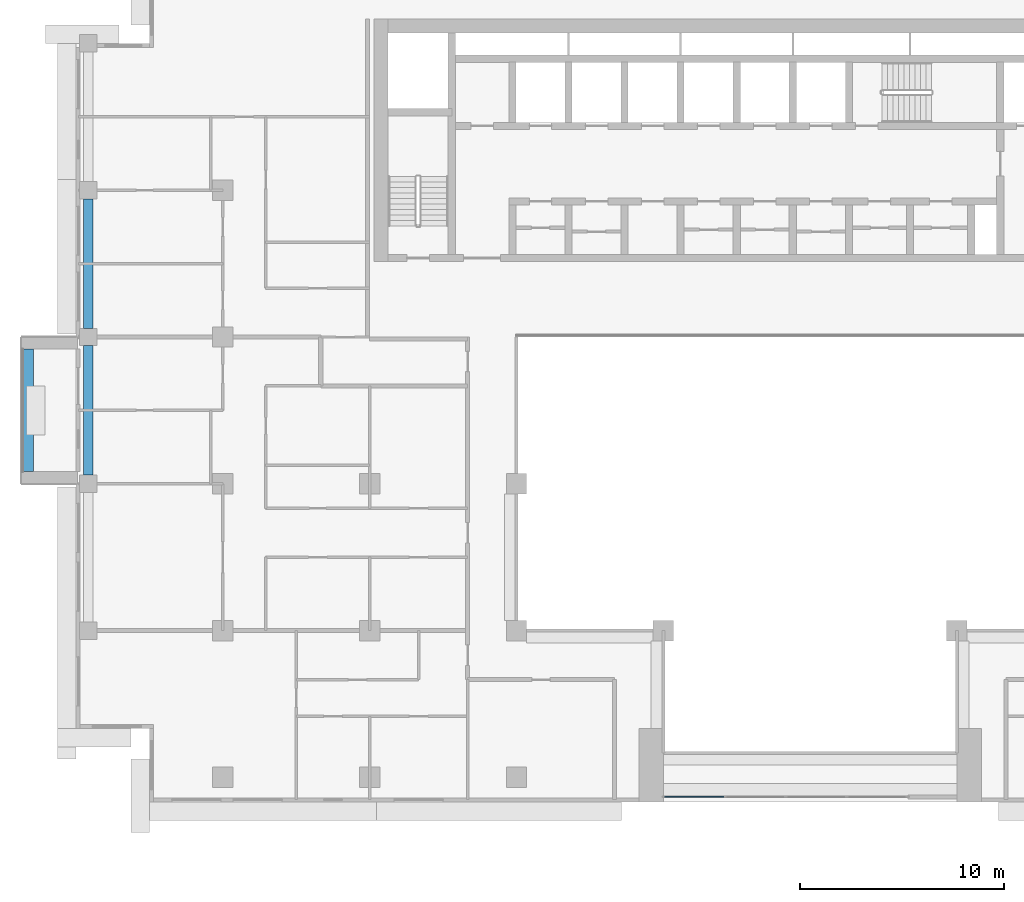
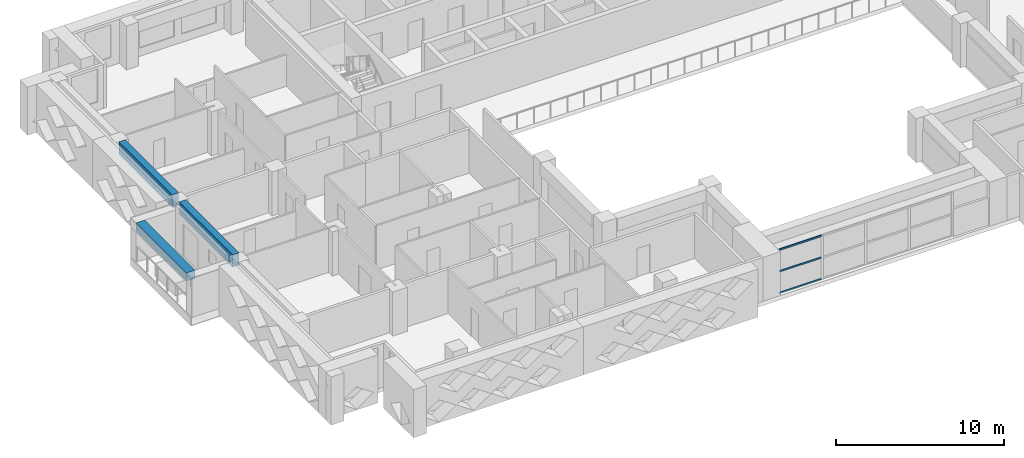
# One storey, part 3 of 20: 3 beams, 3 members, 1 element without a shape of its own.
"""IFC4 building model written with IfcOpenShell, lengths in metres."""

from ifc_helpers import new_model, si_unit, direction, frame, origin, origin_2d, place, context, subcontext, project, spatial, rectangle, extrude, source, transform, mapped, material, layer, layer_set, material_profile, profile_set, type_object, element, aggregate, save


model = new_model("IFC4")

# Units and contexts
model_context = context("Model", 3, precision=1e-05, world=origin(), true_north=direction((0.0, 1.0)))
body_context = subcontext(model_context, "Body", "Model", "MODEL_VIEW")
ifc_project = project(units=[si_unit("LENGTHUNIT", "METRE"), si_unit("AREAUNIT", "SQUARE_METRE"), si_unit("VOLUMEUNIT", "CUBIC_METRE"), si_unit("PLANEANGLEUNIT", "RADIAN"), si_unit("MASSUNIT", "GRAM", prefix="KILO")], contexts=[model_context])

# Site, building, storey
site_placement = place(None, origin())
site = spatial("IfcSite", under=ifc_project, at=site_placement, CompositionType="ELEMENT")
building_placement = place(site_placement, origin())
building = spatial("IfcBuilding", under=site, at=building_placement, Name="Saffron Iwan Residences", CompositionType="ELEMENT")
storey_placement = place(building_placement, frame((0.0, 0.0, 143.0)))
storey = spatial("IfcBuildingStorey", under=building, at=storey_placement, Name="L37", CompositionType="ELEMENT", Elevation=143.0)

# Beams
ifc_material_1 = material(Name="Concrete C50/60", Category="concrete")
ifc_material_profile_1 = material_profile(ifc_material_1, rectangle(XDim=0.449951171875, YDim=0.89990234375, at=origin_2d()), Name="RC 450x900")
ifc_profile_set_1 = profile_set([ifc_material_profile_1], Name="Concrete C50/60")
beam_type_1 = type_object("IfcBeamType", Name="SPANDREL BEAM RC 450x900 C50/60 TOP 3200", PredefinedType="SPANDREL", material=ifc_profile_set_1)
shared_shape_1 = source(origin(), body_context, "Body", "SweptSolid", [
    extrude(rectangle(XDim=0.449951171875, YDim=0.89990234375, at=origin_2d()), origin(), (0.0, 0.0, 1.0), 6.35009765625),
])
for number, where, z_axis, x_axis, name in (
    (1, (15.0, 55.625, 2.75), (0.0, 1.0, 0.0), (-1.0, 0.0, 0.0), "Spandrel beam"),
    (2, (15.0, 62.824951171875, 2.75), (0.0, 1.0, 0.0), (-1.0, 0.0, 0.0), "Spandrel beam"),
):
    element("IfcBeam", number, at=place(storey_placement, frame(where, z_axis=z_axis, x_axis=x_axis)), inside=storey, type_object=beam_type_1, Name=name, PredefinedType="SPANDREL", context=body_context, shape_type="MappedRepresentation", body=[
        mapped(shared_shape_1, transform((0.0, 0.0, 0.0))),
    ])

# Curtain wall, members
ifc_material_2 = material(Name="Clear glass, laminated double glazed", Category="glass")
ifc_layer = layer(ifc_material_2, 0.199951171875)
ifc_layer_set = layer_set([ifc_layer], Name="Clear glass, laminated double glazed")
curtain_wall_type = type_object("IfcCurtainWallType", Name="CW-B IWAN PORTAL", PredefinedType="NOTDEFINED", material=ifc_layer_set)
curtain_wall_placement = place(storey_placement, origin())
curtain_wall = element("IfcCurtainWall", 3, at=curtain_wall_placement, inside=storey, type_object=curtain_wall_type, Name="Iwan portal glazing L37.1", PredefinedType="NOTDEFINED")
ifc_material_3 = material(Name="Aluminium 6063-T6", Category="aluminium")
ifc_material_profile_2 = material_profile(ifc_material_3, rectangle(XDim=0.06005859375, YDim=0.1201171875, at=origin_2d()), Name="CW-B TRANSOM 60 x 120")
ifc_profile_set_2 = profile_set([ifc_material_profile_2], Name="Aluminium 6063-T6")
member_type = type_object("IfcMemberType", Name="CW-B TRANSOM 60 x 120", PredefinedType="USERDEFINED", material=ifc_profile_set_2)
shared_shape_2 = source(origin(), body_context, "Body", "SweptSolid", [
    extrude(rectangle(XDim=0.06005859375, YDim=0.1201171875, at=origin_2d()), origin(), (0.0, 0.0, 1.0), 2.909912109375),
])
member_1_placement = place(storey_placement, frame((43.260009765625, 39.85009765625, 0.030029296875), z_axis=(1.0, 0.0, 0.0), x_axis=(0.0, 1.0, 0.0)))
member_1 = element("IfcMember", 4, at=member_1_placement, type_object=member_type, Name="CW-B transom 1.1", ObjectType="TRANSOM", PredefinedType="USERDEFINED", context=body_context, shape_type="MappedRepresentation", body=[
    mapped(shared_shape_2, transform((0.0, 0.0, 0.0))),
])
member_2_placement = place(storey_placement, frame((43.260009765625, 39.85009765625, 1.60009765625), z_axis=(1.0, 0.0, 0.0), x_axis=(0.0, 1.0, 0.0)))
member_2 = element("IfcMember", 5, at=member_2_placement, type_object=member_type, Name="CW-B transom 1.2", ObjectType="TRANSOM", PredefinedType="USERDEFINED", context=body_context, shape_type="MappedRepresentation", body=[
    mapped(shared_shape_2, transform((0.0, 0.0, 0.0))),
])
member_3_placement = place(storey_placement, frame((43.260009765625, 39.85009765625, 3.169921875), z_axis=(1.0, 0.0, 0.0), x_axis=(0.0, 1.0, 0.0)))
member_3 = element("IfcMember", 6, at=member_3_placement, type_object=member_type, Name="CW-B transom 1.3", ObjectType="TRANSOM", PredefinedType="USERDEFINED", context=body_context, shape_type="MappedRepresentation", body=[
    mapped(shared_shape_2, transform((0.0, 0.0, 0.0))),
])
aggregate(curtain_wall, [member_1, member_2, member_3])

# Beam
ifc_material_4 = material(Name="Concrete C50/60 white painted", Category="concrete")
ifc_material_profile_3 = material_profile(ifc_material_4, rectangle(XDim=0.60009765625, YDim=0.60009765625, at=origin_2d()), Name="BALCONY FASCIA BEAM 600 x 600")
ifc_profile_set_3 = profile_set([ifc_material_profile_3], Name="Concrete C50/60 white painted")
beam_type_2 = type_object("IfcBeamType", Name="BALCONY FASCIA BEAM 600 x 600", PredefinedType="BEAM", material=ifc_profile_set_3)
shared_shape_3 = source(origin(), body_context, "Body", "SweptSolid", [
    extrude(rectangle(XDim=0.60009765625, YDim=0.60009765625, at=origin_2d()), origin(), (0.0, 0.0, 1.0), 6.0),
])
beam_placement = place(storey_placement, frame((12.0, 61.800048828125, 2.550048828125), z_axis=(0.0, -1.0, 0.0), x_axis=(1.0, 0.0, 0.0)))
element("IfcBeam", 7, at=beam_placement, inside=storey, type_object=beam_type_2, Name="Balcony fascia beam L37 F8-0", PredefinedType="BEAM", context=body_context, shape_type="MappedRepresentation", body=[
    mapped(shared_shape_3, transform((0.0, 0.0, 0.0))),
])

save(model, "model.ifc")
